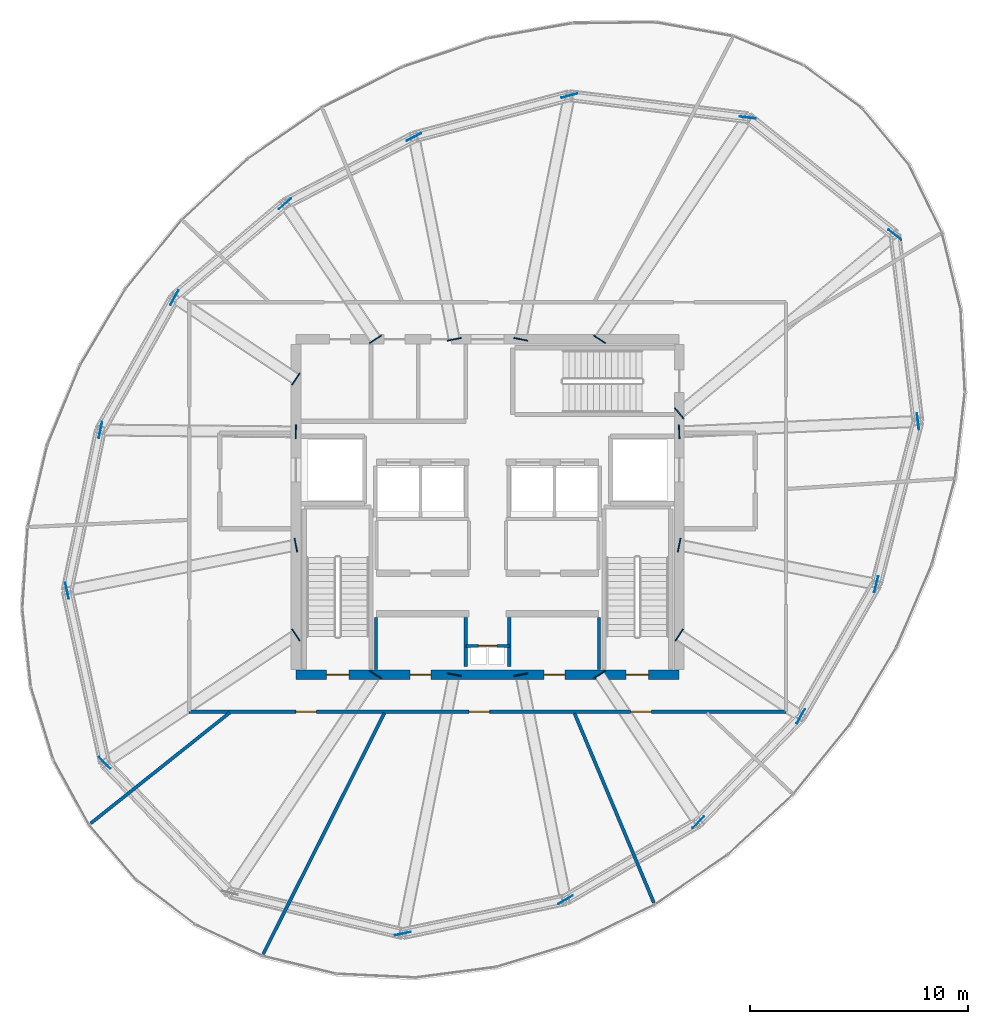
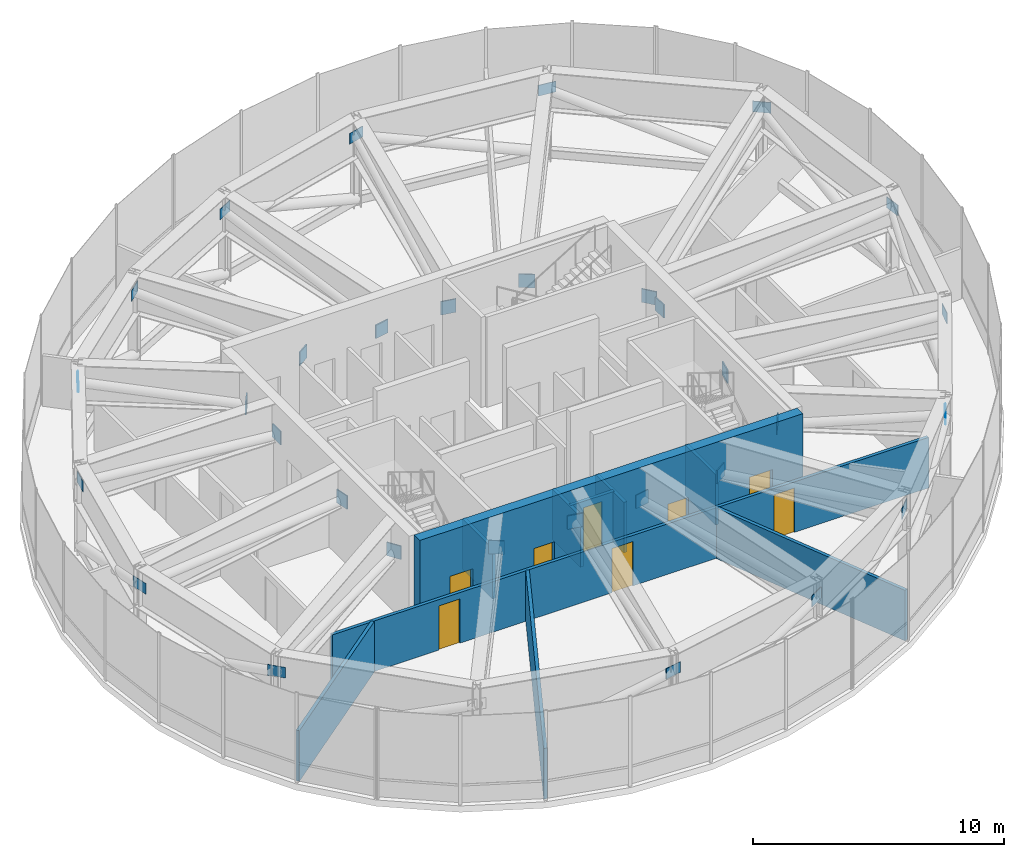
# One storey, part 23 of 26: 31 plates, 10 walls, 8 doors, 8 openings.
"""IFC4 building model written with IfcOpenShell, lengths in metres."""

from ifc_helpers import new_model, si_unit, direction, frame, frame_2d, origin, origin_2d, place, context, subcontext, project, spatial, rectangle, extrude, source, transform, mapped, material, layer, layer_set, type_object, element, fill, save


model = new_model("IFC4")

# Units and contexts
model_context = context("Model", 3, precision=1e-05, world=origin(), true_north=direction((0.0, 1.0)))
body_context = subcontext(model_context, "Body", "Model", "MODEL_VIEW")
ifc_project = project(units=[si_unit("LENGTHUNIT", "METRE"), si_unit("AREAUNIT", "SQUARE_METRE"), si_unit("VOLUMEUNIT", "CUBIC_METRE"), si_unit("PLANEANGLEUNIT", "RADIAN"), si_unit("MASSUNIT", "GRAM", prefix="KILO"), si_unit("THERMODYNAMICTEMPERATUREUNIT", "KELVIN")], contexts=[model_context])

# Site, building, storey
site_placement = place(None, origin())
site = spatial("IfcSite", under=ifc_project, at=site_placement, CompositionType="ELEMENT")
building_placement = place(site_placement, origin())
building = spatial("IfcBuilding", under=site, at=building_placement, Name="Kethvar Cultural Tower", CompositionType="ELEMENT")
storey_placement = place(building_placement, frame((0.0, 0.0, 223.60009765625)))
storey = spatial("IfcBuildingStorey", under=building, at=storey_placement, Name="L58", CompositionType="ELEMENT", Elevation=223.60009765625)

# Plates
ifc_material_1 = material(Name="Steel S460M", Category="steel")
ifc_layer_1 = layer(ifc_material_1, 0.054931640625, Name="Steel S460M", Category="steel")
ifc_layer_set_1 = layer_set([ifc_layer_1], Name="Steel S460M (55 mm)")
plate_type_1 = type_object("IfcPlateType", Name="PL-EMBED-CORE", PredefinedType="SHEET", material=ifc_layer_set_1)
shared_shape_1 = source(origin(), body_context, "Body", "SweptSolid", [
    extrude(rectangle(XDim=0.054931640625, YDim=0.64990234375, at=origin_2d()), origin(), (0.0, 0.0, 1.0), 0.64990234375),
])
for number, where, z_axis, x_axis, name in (
    (1, (55.60009765625, 31.25, 2.324951171875), (0.0, 0.0, 1.0), (0.999040593346, 0.043793753509, 0.0), "L58 Outrigger Core Wall Cast-In Embed Plate EP-01"),
    (2, (55.60009765625, 32.10009765625, 2.324951171875), (0.0, 0.0, 1.0), (0.770401979567, 0.63755845997, 0.0), "L58 Outrigger Core Wall Cast-In Embed Plate EP-02"),
    (3, (51.945068359375, 35.5, 2.324951171875), (0.0, 0.0, 1.0), (0.55557023302, 0.831469612303, 0.0), "L58 Outrigger Core Wall Cast-In Embed Plate EP-03"),
    (4, (48.33154296875, 35.5, 2.324951171875), (0.0, 0.0, 1.0), (0.195090322016, 0.980785280403, 0.0), "L58 Outrigger Core Wall Cast-In Embed Plate EP-04"),
    (5, (45.268310546875, 35.5, 2.324951171875), (0.0, 0.0, 1.0), (-0.195090322016, 0.980785280403, 0.0), "L58 Outrigger Core Wall Cast-In Embed Plate EP-05"),
    (6, (41.655029296875, 35.5, 2.324951171875), (0.0, 0.0, 1.0), (-0.55557023302, 0.831469612303, 0.0), "L58 Outrigger Core Wall Cast-In Embed Plate EP-06"),
    (7, (38.0, 33.679931640625, 2.324951171875), (0.0, 0.0, 1.0), (-0.831469612303, 0.55557023302, 0.0), "L58 Outrigger Core Wall Cast-In Embed Plate EP-07"),
    (8, (38.0, 31.25, 2.324951171875), (0.0, 0.0, 1.0), (-0.999953926969, 0.009599163462, 0.0), "L58 Outrigger Core Wall Cast-In Embed Plate EP-08"),
    (9, (38.0, 26.049560546875, 2.324951171875), (0.0, 0.0, 1.0), (-0.980785280403, -0.195090322016, 0.0), "L58 Outrigger Core Wall Cast-In Embed Plate EP-09"),
    (10, (38.0, 21.920166015625, 2.324951171875), (0.0, 0.0, 1.0), (-0.831469612303, -0.55557023302, 0.0), "L58 Outrigger Core Wall Cast-In Embed Plate EP-10"),
    (11, (41.655029296875, 20.10009765625, 2.324951171875), (0.0, 0.0, 1.0), (-0.55557023302, -0.831469612303, 0.0), "L58 Outrigger Core Wall Cast-In Embed Plate EP-11"),
    (12, (45.268310546875, 20.10009765625, 2.324951171875), (0.0, 0.0, 1.0), (-0.195090322016, -0.980785280403, 0.0), "L58 Outrigger Core Wall Cast-In Embed Plate EP-12"),
    (13, (48.33154296875, 20.10009765625, 2.324951171875), (0.0, 0.0, 1.0), (0.195090322016, -0.980785280403, 0.0), "L58 Outrigger Core Wall Cast-In Embed Plate EP-13"),
    (14, (51.945068359375, 20.10009765625, 2.324951171875), (0.0, 0.0, 1.0), (0.55557023302, -0.831469612303, 0.0), "L58 Outrigger Core Wall Cast-In Embed Plate EP-14"),
    (15, (55.60009765625, 21.919921875, 2.324951171875), (0.0, 0.0, 1.0), (0.831469612303, -0.55557023302, 0.0), "L58 Outrigger Core Wall Cast-In Embed Plate EP-15"),
    (16, (55.60009765625, 26.049560546875, 2.324951171875), (0.0, 0.0, 1.0), (0.980785280403, -0.195090322016, 0.0), "L58 Outrigger Core Wall Cast-In Embed Plate EP-16"),
):
    element("IfcPlate", number, at=place(storey_placement, frame(where, z_axis=z_axis, x_axis=x_axis)), inside=storey, type_object=plate_type_1, Name=name, PredefinedType="SHEET", context=body_context, shape_type="MappedRepresentation", body=[
        mapped(shared_shape_1, transform((0.0, 0.0, 0.0), scale=1.0)),
    ])
ifc_material_2 = material(Name="Steel S355J2", Category="steel")
ifc_layer_2 = layer(ifc_material_2, 0.031982421875, Name="Steel S355J2", Category="steel")
ifc_layer_set_2 = layer_set([ifc_layer_2], Name="Steel S355J2 (32 mm)")
plate_type_2 = type_object("IfcPlateType", Name="PL-GUSSET-750", PredefinedType="USERDEFINED", material=ifc_layer_set_2)
shared_shape_2 = source(origin(), body_context, "Body", "SweptSolid", [
    extrude(rectangle(XDim=0.75, YDim=0.031982421875, at=origin_2d()), origin(), (0.0, 0.0, 1.0), 0.52001953125),
])
for number, where, z_axis, x_axis, name in (
    (17, (66.56396484375, 31.731201171875, 3.16796875), (0.0, 0.0, 1.0), (-0.122779869957, 0.992433929052, 0.0), "L58 Belt-Truss Node Gusset Plate GP-01"),
    (18, (65.504150390625, 40.297607421875, 3.16796875), (0.0, 0.0, 1.0), (-0.782062195974, 0.623200386415, 0.0), "L58 Belt-Truss Node Gusset Plate GP-02"),
    (19, (58.748046875, 45.681396484375, 3.16796875), (0.0, 0.0, 1.0), (-0.992543815339, 0.121888369555, 0.0), "L58 Belt-Truss Node Gusset Plate GP-03"),
    (20, (50.556884765625, 46.6875, 3.16796875), (0.0, 0.0, 1.0), (-0.966397027082, -0.257054052773, 0.0), "L58 Belt-Truss Node Gusset Plate GP-04"),
    (21, (43.420654296875, 44.789306640625, 3.16796875), (0.0, 0.0, 1.0), (-0.887865696279, -0.460102711763, 0.0), "L58 Belt-Truss Node Gusset Plate GP-05"),
    (22, (37.498779296875, 41.720458984375, 3.16796875), (0.0, 0.0, 1.0), (-0.762490063954, -0.646999924553, 0.0), "L58 Belt-Truss Node Gusset Plate GP-06"),
    (23, (32.418212890625, 37.409423828125, 3.16796875), (0.0, 0.0, 1.0), (-0.487735666446, -0.872991362888, 0.0), "L58 Belt-Truss Node Gusset Plate GP-07"),
    (24, (29.02490234375, 31.335693359375, 3.16796875), (0.0, 0.0, 1.0), (-0.203357879581, -0.979104474922, 0.0), "L58 Belt-Truss Node Gusset Plate GP-08"),
    (25, (27.492919921875, 23.959716796875, 3.16796875), (0.0, 0.0, 1.0), (0.213080013937, -0.977034752535, 0.0), "L58 Belt-Truss Node Gusset Plate GP-09"),
    (26, (29.217529296875, 16.0517578125, 3.16796875), (0.0, 0.0, 1.0), (0.693561414604, -0.72039750428, 0.0), "L58 Belt-Truss Node Gusset Plate GP-10"),
    (27, (42.903564453125, 8.2109375, 3.16796875), (0.0, 0.0, 1.0), (0.979014364927, 0.203791249239, 0.0), "L58 Belt-Truss Node Gusset Plate GP-12"),
    (28, (50.38671875, 9.7685546875, 3.16796875), (0.0, 0.0, 1.0), (0.863725381075, 0.5039627626, 0.0), "L58 Belt-Truss Node Gusset Plate GP-13"),
    (29, (56.474609375, 13.32080078125, 3.16796875), (0.0, 0.0, 1.0), (0.695098673268, 0.718914344287, 0.0), "L58 Belt-Truss Node Gusset Plate GP-14"),
    (30, (61.1826171875, 18.18994140625, 3.16796875), (0.0, 0.0, 1.0), (0.496501415087, 0.86803591217, 0.0), "L58 Belt-Truss Node Gusset Plate GP-15"),
    (31, (64.648681640625, 24.249755859375, 3.16796875), (0.0, 0.0, 1.0), (0.248015826196, 0.968755980604, 0.0), "L58 Belt-Truss Node Gusset Plate GP-16"),
):
    element("IfcPlate", number, at=place(storey_placement, frame(where, z_axis=z_axis, x_axis=x_axis)), inside=storey, type_object=plate_type_2, Name=name, ObjectType="GUSSET_PLATE", PredefinedType="USERDEFINED", context=body_context, shape_type="MappedRepresentation", body=[
        mapped(shared_shape_2, transform((0.0, 0.0, 0.0), scale=1.0)),
    ])

# Wall, openings, doors
ifc_material_3 = material(Name="Concrete C50/60", Category="concrete")
ifc_layer_3 = layer(ifc_material_3, 0.449951171875, Name="Concrete C50/60", Category="concrete")
ifc_layer_set_3 = layer_set([ifc_layer_3], Name="Concrete C50/60 (450 mm)")
wall_type_1 = type_object("IfcWallType", Name="WL-CORE-450", PredefinedType="SHEAR", material=ifc_layer_set_3)
wall_1_placement = place(storey_placement, frame((38.0, 20.10009765625, 0.0), z_axis=(0.0, 0.0, 1.0), x_axis=(1.0, 0.0, 0.0)))
wall_1 = element("IfcWall", 32, at=wall_1_placement, inside=storey, type_object=wall_type_1, Name="L58 Core Shear Wall S", PredefinedType="SHEAR", context=body_context, shape_type="SweptSolid", body=[
    extrude(rectangle(XDim=17.60009765625, YDim=0.449951171875, at=frame_2d((8.800048828125, 0.0))), origin(), (0.0, 0.0, 1.0), 4.3798828125),
])
opening_1_placement = place(wall_1_placement, frame((1.39990234375, 0.0, 0.0)))
opening_1 = element("IfcOpeningElement", 33, at=opening_1_placement, cuts=wall_1, Name="Opening D-L58-S1", PredefinedType="OPENING", context=body_context, shape_type="SweptSolid", body=[
    extrude(rectangle(XDim=1.050048828125, YDim=2.14990234375, at=frame_2d((0.52490234375, 1.074951171875))), frame((0.0, 0.23486328125, 0.0), z_axis=(0.0, -1.0, 0.0), x_axis=(1.0, 0.0, 0.0)), (0.0, 0.0, 1.0), 0.469970703125),
])
opening_2_placement = place(wall_1_placement, frame((15.14990234375, 0.0, 0.0)))
opening_2 = element("IfcOpeningElement", 34, at=opening_2_placement, cuts=wall_1, Name="Opening D-L58-ST2", PredefinedType="OPENING", context=body_context, shape_type="SweptSolid", body=[
    extrude(rectangle(XDim=1.050048828125, YDim=2.14990234375, at=frame_2d((0.52490234375, 1.074951171875))), frame((0.0, 0.23486328125, 0.0), z_axis=(0.0, -1.0, 0.0), x_axis=(1.0, 0.0, 0.0)), (0.0, 0.0, 1.0), 0.469970703125),
])
opening_3_placement = place(wall_1_placement, frame((5.25, 0.0, 0.0)))
opening_3 = element("IfcOpeningElement", 35, at=opening_3_placement, cuts=wall_1, Name="Opening D-L58-V1", PredefinedType="OPENING", context=body_context, shape_type="SweptSolid", body=[
    extrude(rectangle(XDim=0.949951171875, YDim=2.14990234375, at=frame_2d((0.47509765625, 1.074951171875))), frame((0.0, 0.23486328125, 0.0), z_axis=(0.0, -1.0, 0.0), x_axis=(1.0, 0.0, 0.0)), (0.0, 0.0, 1.0), 0.469970703125),
])
opening_4_placement = place(wall_1_placement, frame((11.39990234375, 0.0, 0.0)))
opening_4 = element("IfcOpeningElement", 36, at=opening_4_placement, cuts=wall_1, Name="Opening D-L58-V2", PredefinedType="OPENING", context=body_context, shape_type="SweptSolid", body=[
    extrude(rectangle(XDim=0.949951171875, YDim=2.14990234375, at=frame_2d((0.47509765625, 1.074951171875))), frame((0.0, 0.23486328125, 0.0), z_axis=(0.0, -1.0, 0.0), x_axis=(1.0, 0.0, 0.0)), (0.0, 0.0, 1.0), 0.469970703125),
])
door_type_1 = type_object("IfcDoorType", Name="DR-FD60-1050", OperationType="NOTDEFINED", PredefinedType="DOOR", material=ifc_material_2)
shared_shape_3 = source(origin(), body_context, "Body", "SweptSolid", [
    extrude(rectangle(XDim=1.050048828125, YDim=2.14990234375, at=frame_2d((0.52490234375, 1.074951171875))), frame((0.0, 0.02490234375, 0.0), z_axis=(0.0, -1.0, 0.0), x_axis=(1.0, 0.0, 0.0)), (0.0, 0.0, 1.0), 0.050048828125),
])
door_1_placement = place(opening_1_placement, origin())
door_1 = element("IfcDoor", 37, at=door_1_placement, inside=storey, type_object=door_type_1, Name="L58 Exit Stair 1 Door", OperationType="SINGLE_SWING_LEFT", OverallHeight=2.14990234375, OverallWidth=1.050048828125, PredefinedType="DOOR", context=body_context, shape_type="MappedRepresentation", body=[
    mapped(shared_shape_3, transform((0.0, 0.0, 0.0), scale=1.0)),
])
fill(opening_1, door_1)
door_2_placement = place(opening_2_placement, origin())
door_2 = element("IfcDoor", 38, at=door_2_placement, inside=storey, type_object=door_type_1, Name="L58 Exit Stair 2 Door", OperationType="SINGLE_SWING_RIGHT", OverallHeight=2.14990234375, OverallWidth=1.050048828125, PredefinedType="DOOR", context=body_context, shape_type="MappedRepresentation", body=[
    mapped(shared_shape_3, transform((0.0, 0.0, 0.0), scale=1.0)),
])
fill(opening_2, door_2)
ifc_material_4 = material(Name="Architectural Oak Timber", Category="wood")
door_type_2 = type_object("IfcDoorType", Name="DR-FD30-950", OperationType="NOTDEFINED", PredefinedType="DOOR", material=ifc_material_4)
shared_shape_4 = source(origin(), body_context, "Body", "SweptSolid", [
    extrude(rectangle(XDim=0.949951171875, YDim=2.14990234375, at=frame_2d((0.47509765625, 1.074951171875))), frame((0.0, 0.02490234375, 0.0), z_axis=(0.0, -1.0, 0.0), x_axis=(1.0, 0.0, 0.0)), (0.0, 0.0, 1.0), 0.050048828125),
])
door_3_placement = place(opening_3_placement, origin())
door_3 = element("IfcDoor", 39, at=door_3_placement, inside=storey, type_object=door_type_2, Name="L58 Reclaimed West Room Door", OperationType="SINGLE_SWING_LEFT", OverallHeight=2.14990234375, OverallWidth=0.949951171875, PredefinedType="DOOR", context=body_context, shape_type="MappedRepresentation", body=[
    mapped(shared_shape_4, transform((0.0, 0.0, 0.0), scale=1.0)),
])
fill(opening_3, door_3)
door_4_placement = place(opening_4_placement, origin())
door_4 = element("IfcDoor", 40, at=door_4_placement, inside=storey, type_object=door_type_2, Name="L58 Reclaimed East Room Door", OperationType="SINGLE_SWING_RIGHT", OverallHeight=2.14990234375, OverallWidth=0.949951171875, PredefinedType="DOOR", context=body_context, shape_type="MappedRepresentation", body=[
    mapped(shared_shape_4, transform((0.0, 0.0, 0.0), scale=1.0)),
])
fill(opening_4, door_4)

# Wall, opening, door
ifc_material_5 = material(Name="Gypsum Fireboard Partition")
ifc_layer_4 = layer(ifc_material_5, 0.14990234375, Name="Gypsum Fireboard Partition")
ifc_layer_set_4 = layer_set([ifc_layer_4], Name="Gypsum Fireboard Partition (150 mm)")
wall_type_2 = type_object("IfcWallType", Name="WL-FIRE-150", PredefinedType="PARTITIONING", material=ifc_layer_set_4)
wall_2_placement = place(storey_placement, frame((45.800048828125, 21.419921875, 0.0), z_axis=(0.0, 0.0, 1.0), x_axis=(1.0, 0.0, 0.0)))
wall_2 = element("IfcWall", 41, at=wall_2_placement, inside=storey, type_object=wall_type_2, Name="L58 Core Riser Wall", PredefinedType="PARTITIONING", context=body_context, shape_type="SweptSolid", body=[
    extrude(rectangle(XDim=2.0, YDim=0.14990234375, at=frame_2d((1.0, 0.0))), origin(), (0.0, 0.0, 1.0), 2.454833984375),
])
opening_5_placement = place(wall_2_placement, frame((0.574951171875, 0.0, 0.0)))
opening_5 = element("IfcOpeningElement", 42, at=opening_5_placement, cuts=wall_2, Name="Opening D-L58-RS", PredefinedType="OPENING", context=body_context, shape_type="SweptSolid", body=[
    extrude(rectangle(XDim=0.85009765625, YDim=2.14990234375, at=frame_2d((0.425048828125, 1.074951171875))), frame((0.0, 0.0849609375, 0.0), z_axis=(0.0, -1.0, 0.0), x_axis=(1.0, 0.0, 0.0)), (0.0, 0.0, 1.0), 0.169921875),
])
door_type_3 = type_object("IfcDoorType", Name="DR-FD30-850", OperationType="NOTDEFINED", PredefinedType="DOOR", material=ifc_material_2)
shared_shape_5 = source(origin(), body_context, "Body", "SweptSolid", [
    extrude(rectangle(XDim=0.85009765625, YDim=2.14990234375, at=frame_2d((0.425048828125, 1.074951171875))), frame((0.0, 0.02490234375, 0.0), z_axis=(0.0, -1.0, 0.0), x_axis=(1.0, 0.0, 0.0)), (0.0, 0.0, 1.0), 0.050048828125),
])
door_5_placement = place(opening_5_placement, origin())
door_5 = element("IfcDoor", 43, at=door_5_placement, inside=storey, type_object=door_type_3, Name="L58 Service Riser Access Door", OperationType="SINGLE_SWING_LEFT", OverallHeight=2.14990234375, OverallWidth=0.85009765625, PredefinedType="DOOR", context=body_context, shape_type="MappedRepresentation", body=[
    mapped(shared_shape_5, transform((0.0, 0.0, 0.0), scale=1.0)),
])
fill(opening_5, door_5)

# Walls
for number, where, z_axis, x_axis, name in (
    (44, (45.800048828125, 20.47998046875, 0.0), (0.0, 0.0, 1.0), (0.0, 1.0, 0.0), "L58 Core Riser West Wall"),
    (45, (47.800048828125, 20.47998046875, 0.0), (0.0, 0.0, 1.0), (0.0, 1.0, 0.0), "L58 Core Riser East Wall"),
):
    element("IfcWall", number, at=place(storey_placement, frame(where, z_axis=z_axis, x_axis=x_axis)), inside=storey, type_object=wall_type_2, Name=name, PredefinedType="PARTITIONING", context=body_context, shape_type="SweptSolid", body=[
        extrude(rectangle(XDim=2.239990234375, YDim=0.14990234375, at=frame_2d((1.1201171875, 0.0))), origin(), (0.0, 0.0, 1.0), 2.454833984375),
    ])
for number, where, z_axis, x_axis, name in (
    (46, (41.679931640625, 20.3349609375, 0.0), (0.0, 0.0, 1.0), (0.0, 1.0, 0.0), "L58 Reclaimed West Outer Wall"),
    (47, (51.919921875, 20.3349609375, 0.0), (0.0, 0.0, 1.0), (0.0, 1.0, 0.0), "L58 Reclaimed East Outer Wall"),
):
    element("IfcWall", number, at=place(storey_placement, frame(where, z_axis=z_axis, x_axis=x_axis)), inside=storey, type_object=wall_type_2, Name=name, PredefinedType="PARTITIONING", context=body_context, shape_type="SweptSolid", body=[
        extrude(rectangle(XDim=2.39501953125, YDim=0.14990234375, at=frame_2d((1.197509765625, 0.0))), origin(), (0.0, 0.0, 1.0), 2.454833984375),
    ])

# Wall, openings, doors
wall_3_placement = place(storey_placement, frame((33.10009765625, 18.39990234375, 0.0), z_axis=(0.0, 0.0, 1.0), x_axis=(1.0, 0.0, 0.0)))
wall_3 = element("IfcWall", 48, at=wall_3_placement, inside=storey, type_object=wall_type_2, Name="L58 Corridor Rated Wall S", PredefinedType="PARTITIONING", context=body_context, shape_type="SweptSolid", body=[
    extrude(rectangle(XDim=27.39990234375, YDim=0.14990234375, at=frame_2d((13.699951171875, 0.0))), origin(), (0.0, 0.0, 1.0), 2.454833984375),
])
opening_6_placement = place(wall_3_placement, frame((4.895263671875, 0.0, 0.0)))
opening_6 = element("IfcOpeningElement", 49, at=opening_6_placement, cuts=wall_3, Name="Opening D-L58-02", PredefinedType="OPENING", context=body_context, shape_type="SweptSolid", body=[
    extrude(rectangle(XDim=0.949951171875, YDim=2.14990234375, at=frame_2d((0.47509765625, 1.074951171875))), frame((0.0, 0.0849609375, 0.0), z_axis=(0.0, -1.0, 0.0), x_axis=(1.0, 0.0, 0.0)), (0.0, 0.0, 1.0), 0.169921875),
])
opening_7_placement = place(wall_3_placement, frame((12.849609375, 0.0, 0.0)))
opening_7 = element("IfcOpeningElement", 50, at=opening_7_placement, cuts=wall_3, Name="Opening D-L58-03", PredefinedType="OPENING", context=body_context, shape_type="SweptSolid", body=[
    extrude(rectangle(XDim=0.949951171875, YDim=2.14990234375, at=frame_2d((0.47509765625, 1.074951171875))), frame((0.0, 0.0849609375, 0.0), z_axis=(0.0, -1.0, 0.0), x_axis=(1.0, 0.0, 0.0)), (0.0, 0.0, 1.0), 0.169921875),
])
opening_8_placement = place(wall_3_placement, frame((20.27587890625, 0.0, 0.0)))
opening_8 = element("IfcOpeningElement", 51, at=opening_8_placement, cuts=wall_3, Name="Opening D-L58-04", PredefinedType="OPENING", context=body_context, shape_type="SweptSolid", body=[
    extrude(rectangle(XDim=0.949951171875, YDim=2.14990234375, at=frame_2d((0.47509765625, 1.074951171875))), frame((0.0, 0.0849609375, 0.0), z_axis=(0.0, -1.0, 0.0), x_axis=(1.0, 0.0, 0.0)), (0.0, 0.0, 1.0), 0.169921875),
])
door_6_placement = place(opening_6_placement, origin())
door_6 = element("IfcDoor", 52, at=door_6_placement, inside=storey, type_object=door_type_2, Name="L58 Pressurised Refuge Area East 02 Door", OperationType="SINGLE_SWING_RIGHT", OverallHeight=2.14990234375, OverallWidth=0.949951171875, PredefinedType="DOOR", context=body_context, shape_type="MappedRepresentation", body=[
    mapped(shared_shape_4, transform((0.0, 0.0, 0.0), scale=1.0)),
])
fill(opening_6, door_6)
door_7_placement = place(opening_7_placement, origin())
door_7 = element("IfcDoor", 53, at=door_7_placement, inside=storey, type_object=door_type_2, Name="L58 Mechanical AHU Plant Room 03 Door", OperationType="SINGLE_SWING_LEFT", OverallHeight=2.14990234375, OverallWidth=0.949951171875, PredefinedType="DOOR", context=body_context, shape_type="MappedRepresentation", body=[
    mapped(shared_shape_4, transform((0.0, 0.0, 0.0), scale=1.0)),
])
fill(opening_7, door_7)
door_8_placement = place(opening_8_placement, origin())
door_8 = element("IfcDoor", 54, at=door_8_placement, inside=storey, type_object=door_type_2, Name="L58 Chilled Water Pump Plant Room 04 Door", OperationType="SINGLE_SWING_RIGHT", OverallHeight=2.14990234375, OverallWidth=0.949951171875, PredefinedType="DOOR", context=body_context, shape_type="MappedRepresentation", body=[
    mapped(shared_shape_4, transform((0.0, 0.0, 0.0), scale=1.0)),
])
fill(opening_8, door_8)

# Walls
wall_4_placement = place(storey_placement, frame((34.951904296875, 18.35009765625, 0.0), z_axis=(0.0, 0.0, 1.0), x_axis=(-0.782121388548, -0.623126097653, 0.0)))
element("IfcWall", 55, at=wall_4_placement, inside=storey, type_object=wall_type_2, Name="L58 Radial Partition Wall 02", PredefinedType="PARTITIONING", context=body_context, shape_type="SweptSolid", body=[
    extrude(rectangle(XDim=8.1474609375, YDim=0.14990234375, at=frame_2d((4.07373046875, 0.0))), origin(), (0.0, 0.0, 1.0), 2.454833984375),
])
wall_5_placement = place(storey_placement, frame((42.059814453125, 18.32861328125, 0.0), z_axis=(0.0, 0.0, 1.0), x_axis=(-0.449311729851, -0.893375044098, 0.0)))
element("IfcWall", 56, at=wall_5_placement, inside=storey, type_object=wall_type_2, Name="L58 Radial Partition Wall 03", PredefinedType="PARTITIONING", context=body_context, shape_type="SweptSolid", body=[
    extrude(rectangle(XDim=12.37353515625, YDim=0.14990234375, at=frame_2d((6.186767578125, 0.0))), origin(), (0.0, 0.0, 1.0), 2.454833984375),
])
wall_6_placement = place(storey_placement, frame((50.793701171875, 18.326171875, 0.0), z_axis=(0.0, 0.0, 1.0), x_axis=(0.386357921925, -0.922348934062, 0.0)))
element("IfcWall", 57, at=wall_6_placement, inside=storey, type_object=wall_type_2, Name="L58 Radial Partition Wall 04", PredefinedType="PARTITIONING", context=body_context, shape_type="SweptSolid", body=[
    extrude(rectangle(XDim=9.42724609375, YDim=0.14990234375, at=frame_2d((4.713623046875, 0.0))), origin(), (0.0, 0.0, 1.0), 2.454833984375),
])

save(model, "model.ifc")
